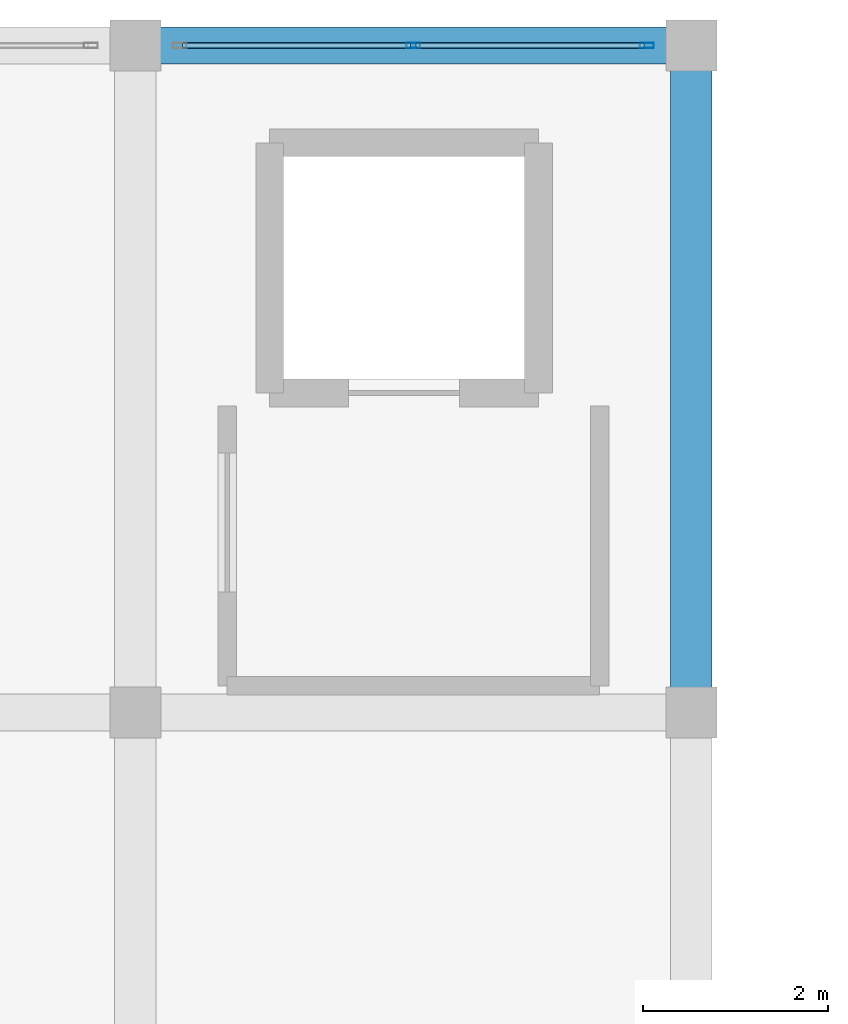
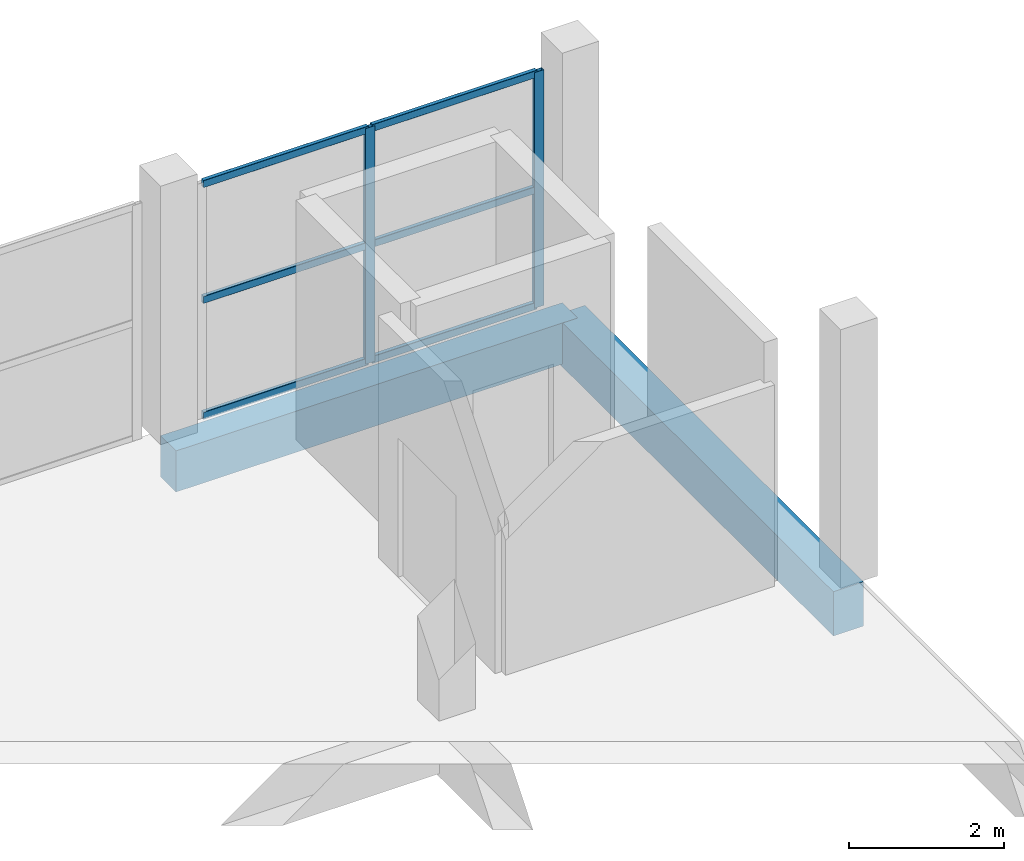
# One storey, part 93 of 127: 8 members, 2 beams, 1 element without a shape of its own.
"""IFC4 building model written with IfcOpenShell, lengths in metres."""

from ifc_helpers import new_model, si_unit, direction, frame, origin, origin_2d, place, context, subcontext, project, spatial, rectangle, hollow_rectangle, extrude, material, layer, layer_set, material_profile, profile_set, type_object, element, aggregate, save


model = new_model("IFC4")

# Units and contexts
model_context = context("Model", 3, precision=1e-05, world=origin(), true_north=direction((0.0, 1.0)))
body_context = subcontext(model_context, "Body", "Model", "MODEL_VIEW")
ifc_project = project(units=[si_unit("LENGTHUNIT", "METRE"), si_unit("AREAUNIT", "SQUARE_METRE"), si_unit("VOLUMEUNIT", "CUBIC_METRE"), si_unit("PLANEANGLEUNIT", "RADIAN"), si_unit("MASSUNIT", "GRAM", prefix="KILO")], contexts=[model_context])

# Site, building, storey
site_placement = place(None, origin())
site = spatial("IfcSite", under=ifc_project, at=site_placement, CompositionType="ELEMENT")
building_placement = place(site_placement, origin())
building = spatial("IfcBuilding", under=site, at=building_placement, Name="Dunvalen Ferry Terminal", CompositionType="ELEMENT")
storey_placement = place(building_placement, frame((0.0, 0.0, 5.760009765625)))
storey = spatial("IfcBuildingStorey", under=building, at=storey_placement, Name="L01", CompositionType="ELEMENT", Elevation=5.760009765625)

# Curtain wall, members
ifc_material_1 = material(Name="Anodised marine aluminium and solar-control glazing", Category="aluminium")
ifc_layer = layer(ifc_material_1, 0.159912109375, Name="Anodised marine aluminium and solar-control glazing")
ifc_layer_set = layer_set([ifc_layer], Name="Anodised marine aluminium and solar-control glazing")
curtain_wall_type = type_object("IfcCurtainWallType", Name="ENV-CW-SYS-08", PredefinedType="NOTDEFINED", material=ifc_layer_set)
curtain_wall_placement = place(storey_placement, origin())
curtain_wall = element("IfcCurtainWall", 1, at=curtain_wall_placement, inside=storey, type_object=curtain_wall_type, Name="L01 Curtain Wall CW-BRT2-N-L01-4", PredefinedType="NOTDEFINED")
ifc_material_2 = material(Name="Anodised marine aluminium EN AW-6063 T6", Category="aluminium")
ifc_material_profile_1 = material_profile(ifc_material_2, hollow_rectangle(XDim=0.06005859375, YDim=0.14990234375, WallThickness=0.00341796875, InnerFilletRadius=0.00341796875, OuterFilletRadius=0.007080078125, at=origin_2d()), Name="Anodised marine aluminium EN AW-6063 T6")
ifc_profile_set_1 = profile_set([ifc_material_profile_1], Name="Anodised marine aluminium EN AW-6063 T6")
member_type_1 = type_object("IfcMemberType", Name="ENV-CW-MUL-3", PredefinedType="MULLION", material=ifc_profile_set_1)
member_1_placement = place(storey_placement, frame((141.0, 115.199951171875, 0.0), z_axis=(0.0, 0.0, 1.0), x_axis=(0.0, 1.0, 0.0)))
member_1 = element("IfcMember", 2, at=member_1_placement, type_object=member_type_1, Name="CW-08 mullion 2", PredefinedType="MULLION", context=body_context, shape_type="SweptSolid", body=[
    extrude(hollow_rectangle(XDim=0.06005859375, YDim=0.14990234375, WallThickness=0.00341796875, InnerFilletRadius=0.00341796875, OuterFilletRadius=0.007080078125, at=origin_2d()), origin(), (0.0, 0.0, 1.0), 3.719970703125),
])
member_2_placement = place(storey_placement, frame((143.52001953125, 115.199951171875, 0.0), z_axis=(0.0, 0.0, 1.0), x_axis=(0.0, 1.0, 0.0)))
member_2 = element("IfcMember", 3, at=member_2_placement, type_object=member_type_1, Name="CW-08 mullion 3", PredefinedType="MULLION", context=body_context, shape_type="SweptSolid", body=[
    extrude(hollow_rectangle(XDim=0.06005859375, YDim=0.14990234375, WallThickness=0.00341796875, InnerFilletRadius=0.00341796875, OuterFilletRadius=0.007080078125, at=origin_2d()), origin(), (0.0, 0.0, 1.0), 3.719970703125),
])
ifc_material_profile_2 = material_profile(ifc_material_2, hollow_rectangle(XDim=0.06005859375, YDim=0.114990234375, WallThickness=0.0029296875, InnerFilletRadius=0.0029296875, OuterFilletRadius=0.006103515625, at=origin_2d()), Name="Anodised marine aluminium EN AW-6063 T6")
ifc_profile_set_2 = profile_set([ifc_material_profile_2], Name="Anodised marine aluminium EN AW-6063 T6")
member_type_2 = type_object("IfcMemberType", Name="ENV-CW-TRN-3", PredefinedType="USERDEFINED", material=ifc_profile_set_2)
member_3_placement = place(storey_placement, frame((138.510009765625, 115.199951171875, 0.030029296875), z_axis=(1.0, 0.0, 0.0), x_axis=(0.0, 1.0, 0.0)))
member_3 = element("IfcMember", 4, at=member_3_placement, type_object=member_type_2, Name="CW-08 transom 1.1", ObjectType="TRANSOM", PredefinedType="USERDEFINED", context=body_context, shape_type="SweptSolid", body=[
    extrude(hollow_rectangle(XDim=0.06005859375, YDim=0.114990234375, WallThickness=0.0029296875, InnerFilletRadius=0.0029296875, OuterFilletRadius=0.006103515625, at=origin_2d()), origin(), (0.0, 0.0, 1.0), 2.4599609375),
])
member_4_placement = place(storey_placement, frame((138.510009765625, 115.199951171875, 1.860107421875), z_axis=(1.0, 0.0, 0.0), x_axis=(0.0, 1.0, 0.0)))
member_4 = element("IfcMember", 5, at=member_4_placement, type_object=member_type_2, Name="CW-08 transom 1.2", ObjectType="TRANSOM", PredefinedType="USERDEFINED", context=body_context, shape_type="SweptSolid", body=[
    extrude(hollow_rectangle(XDim=0.06005859375, YDim=0.114990234375, WallThickness=0.0029296875, InnerFilletRadius=0.0029296875, OuterFilletRadius=0.006103515625, at=origin_2d()), origin(), (0.0, 0.0, 1.0), 2.4599609375),
])
member_5_placement = place(storey_placement, frame((138.510009765625, 115.199951171875, 3.68994140625), z_axis=(1.0, 0.0, 0.0), x_axis=(0.0, 1.0, 0.0)))
member_5 = element("IfcMember", 6, at=member_5_placement, type_object=member_type_2, Name="CW-08 transom 1.3", ObjectType="TRANSOM", PredefinedType="USERDEFINED", context=body_context, shape_type="SweptSolid", body=[
    extrude(hollow_rectangle(XDim=0.06005859375, YDim=0.114990234375, WallThickness=0.0029296875, InnerFilletRadius=0.0029296875, OuterFilletRadius=0.006103515625, at=origin_2d()), origin(), (0.0, 0.0, 1.0), 2.4599609375),
])
member_6_placement = place(storey_placement, frame((141.030029296875, 115.199951171875, 0.030029296875), z_axis=(1.0, 0.0, 0.0), x_axis=(0.0, 1.0, 0.0)))
member_6 = element("IfcMember", 7, at=member_6_placement, type_object=member_type_2, Name="CW-08 transom 2.1", ObjectType="TRANSOM", PredefinedType="USERDEFINED", context=body_context, shape_type="SweptSolid", body=[
    extrude(hollow_rectangle(XDim=0.06005859375, YDim=0.114990234375, WallThickness=0.0029296875, InnerFilletRadius=0.0029296875, OuterFilletRadius=0.006103515625, at=origin_2d()), origin(), (0.0, 0.0, 1.0), 2.4599609375),
])
member_7_placement = place(storey_placement, frame((141.030029296875, 115.199951171875, 1.860107421875), z_axis=(1.0, 0.0, 0.0), x_axis=(0.0, 1.0, 0.0)))
member_7 = element("IfcMember", 8, at=member_7_placement, type_object=member_type_2, Name="CW-08 transom 2.2", ObjectType="TRANSOM", PredefinedType="USERDEFINED", context=body_context, shape_type="SweptSolid", body=[
    extrude(hollow_rectangle(XDim=0.06005859375, YDim=0.114990234375, WallThickness=0.0029296875, InnerFilletRadius=0.0029296875, OuterFilletRadius=0.006103515625, at=origin_2d()), origin(), (0.0, 0.0, 1.0), 2.4599609375),
])
member_8_placement = place(storey_placement, frame((141.030029296875, 115.199951171875, 3.68994140625), z_axis=(1.0, 0.0, 0.0), x_axis=(0.0, 1.0, 0.0)))
member_8 = element("IfcMember", 9, at=member_8_placement, type_object=member_type_2, Name="CW-08 transom 2.3", ObjectType="TRANSOM", PredefinedType="USERDEFINED", context=body_context, shape_type="SweptSolid", body=[
    extrude(hollow_rectangle(XDim=0.06005859375, YDim=0.114990234375, WallThickness=0.0029296875, InnerFilletRadius=0.0029296875, OuterFilletRadius=0.006103515625, at=origin_2d()), origin(), (0.0, 0.0, 1.0), 2.4599609375),
])
aggregate(curtain_wall, [member_1, member_2, member_3, member_4, member_5, member_6, member_7, member_8])

# Beams
ifc_material_3 = material(Name="Concrete C40/50", Category="concrete")
ifc_material_profile_3 = material_profile(ifc_material_3, rectangle(XDim=0.39990234375, YDim=0.64990234375, at=origin_2d()), Name="Concrete C40/50")
ifc_profile_set_3 = profile_set([ifc_material_profile_3], Name="Concrete C40/50")
beam_type_1 = type_object("IfcBeamType", Name="STR-BM-RCB650", PredefinedType="BEAM", material=ifc_profile_set_3)
beam_1_placement = place(storey_placement, frame((138.0, 115.199951171875, -0.56494140625), z_axis=(1.0, 0.0, 0.0), x_axis=(0.0, 1.0, 0.0)))
element("IfcBeam", 10, at=beam_1_placement, inside=storey, type_object=beam_type_1, Name="L01 V3B2 Primary Beam X-012", PredefinedType="BEAM", context=body_context, shape_type="SweptSolid", body=[
    extrude(rectangle(XDim=0.39990234375, YDim=0.64990234375, at=origin_2d()), origin(), (0.0, 0.0, 1.0), 6.0),
])
ifc_material_profile_4 = material_profile(ifc_material_3, rectangle(XDim=0.449951171875, YDim=0.699951171875, at=origin_2d()), Name="Concrete C40/50")
ifc_profile_set_4 = profile_set([ifc_material_profile_4], Name="Concrete C40/50")
beam_type_2 = type_object("IfcBeamType", Name="STR-BM-RCB700", PredefinedType="BEAM", material=ifc_profile_set_4)
beam_2_placement = place(storey_placement, frame((144.0, 108.0, -0.590087890625), z_axis=(0.0, 1.0, 0.0), x_axis=(-1.0, 0.0, 0.0)))
element("IfcBeam", 11, at=beam_2_placement, inside=storey, type_object=beam_type_2, Name="L01 V3B2 Primary Girder Y-021", PredefinedType="BEAM", context=body_context, shape_type="SweptSolid", body=[
    extrude(rectangle(XDim=0.449951171875, YDim=0.699951171875, at=origin_2d()), origin(), (0.0, 0.0, 1.0), 7.199951171875),
])

save(model, "model.ifc")
